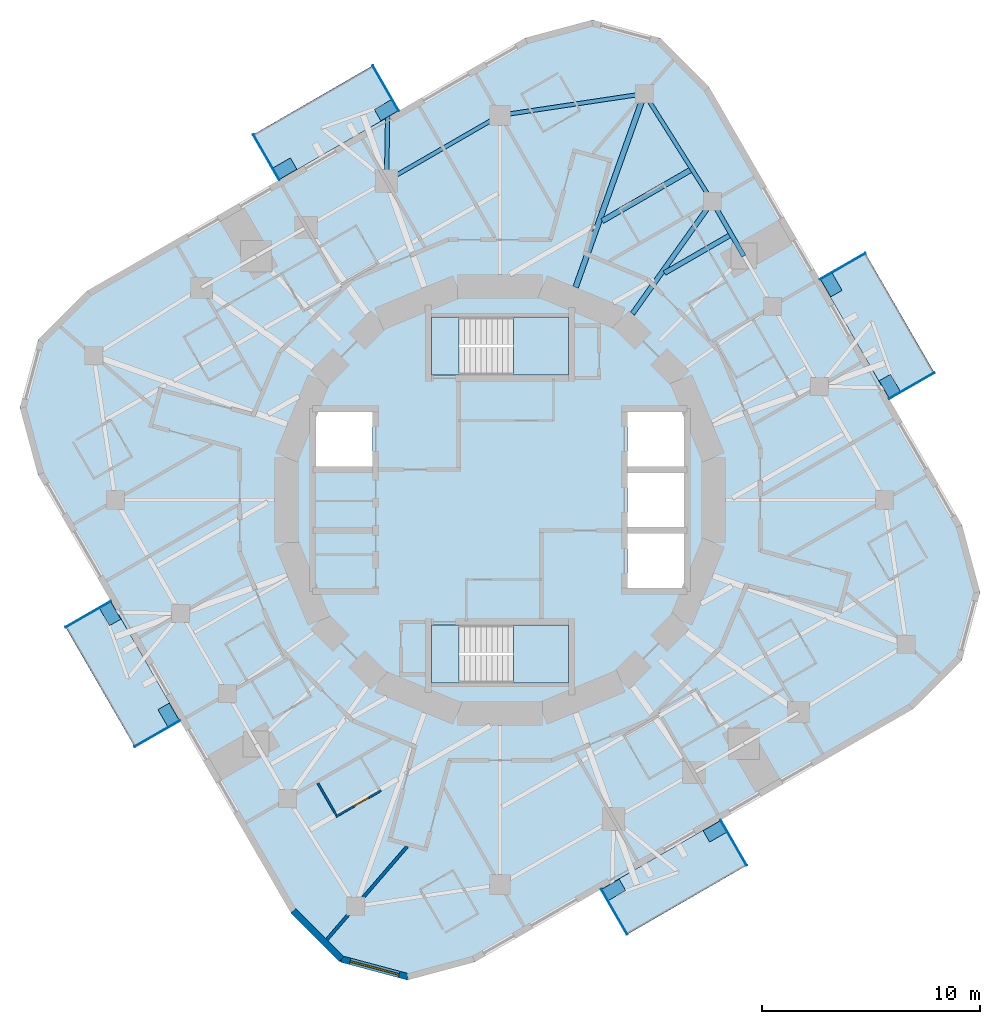
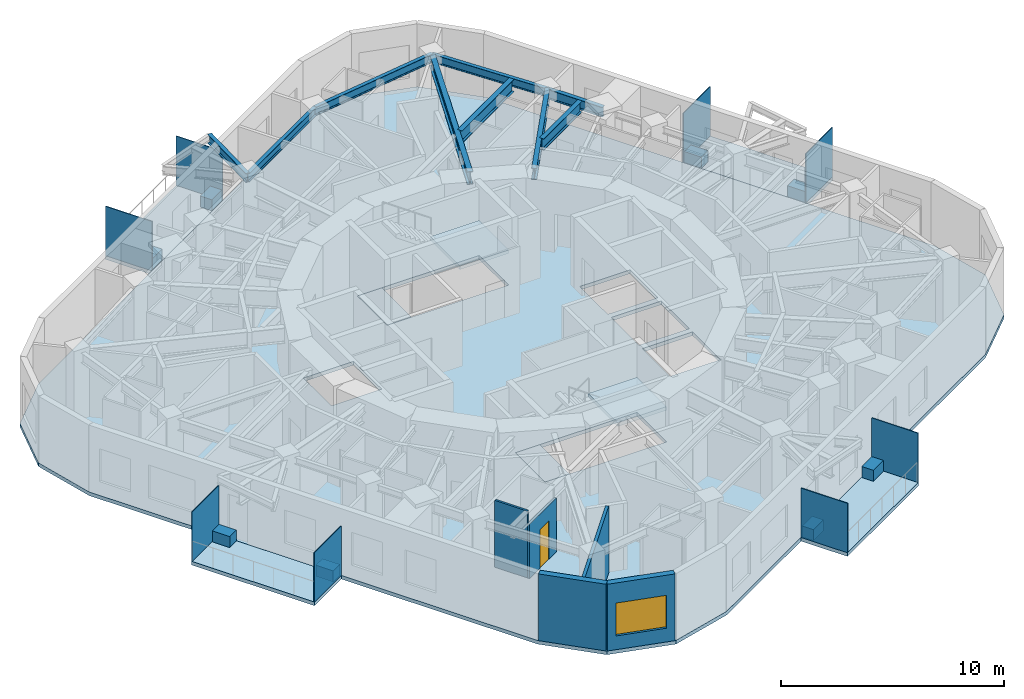
# One storey, part 3 of 12: 16 plates, 9 beams, 9 slabs, 5 walls, 1 door, 1 window, 2 openings, 2 elements without a shape of their own.
"""IFC4 building model written with IfcOpenShell, lengths in metres."""

from ifc_helpers import new_model, si_unit, direction, frame, frame_2d, origin, origin_2d, place, context, subcontext, project, spatial, polyline, rectangle, i_section, outline, extrude, material, layer, layer_set, material_profile, profile_set, type_object, element, fill, aggregate, save


model = new_model("IFC4")

# Units and contexts
model_context = context("Model", 3, precision=1e-05, world=origin(), true_north=direction((0.0, 1.0)))
body_context = subcontext(model_context, "Body", "Model", "MODEL_VIEW")
ifc_project = project(units=[si_unit("LENGTHUNIT", "METRE"), si_unit("AREAUNIT", "SQUARE_METRE"), si_unit("VOLUMEUNIT", "CUBIC_METRE"), si_unit("PLANEANGLEUNIT", "RADIAN"), si_unit("MASSUNIT", "GRAM", prefix="KILO")], contexts=[model_context])

# Site, building, storey
site_placement = place(None, origin())
site = spatial("IfcSite", under=ifc_project, at=site_placement, CompositionType="ELEMENT")
building_placement = place(site_placement, origin())
building = spatial("IfcBuilding", under=site, at=building_placement, Name="Nakasero Lantern House", CompositionType="ELEMENT")
storey_placement = place(building_placement, frame((0.0, 0.0, 226.949951171875)))
storey = spatial("IfcBuildingStorey", under=building, at=storey_placement, Name="L55", CompositionType="ELEMENT", Elevation=226.949951171875)

# Beams
ifc_material_1 = material(Name="Steel S355", Category="steel")
ifc_material_profile_1 = material_profile(ifc_material_1, i_section(OverallWidth=0.199462890625, OverallDepth=0.491943359375, WebThickness=0.01806640625, FlangeThickness=0.031982421875, FilletRadius=0.01025390625, at=origin_2d()), Name="UB 457x191x161")
ifc_profile_set_1 = profile_set([ifc_material_profile_1], Name="Steel S355")
beam_type_1 = type_object("IfcBeamType", Name="Balcony splay beam UB 457x191x161", PredefinedType="BEAM", material=ifc_profile_set_1)
beam_1_placement = place(storey_placement, frame((-5.211669921875, 14.657958984375, 3.404052734375), z_axis=(0.016835196893, 0.99985827803, 0.0), x_axis=(-0.99985827803, 0.016835196893, 0.0)))
element("IfcBeam", 1, at=beam_1_placement, inside=storey, type_object=beam_type_1, Name="Balcony splay beam L56 B6-C10B", PredefinedType="BEAM", context=body_context, shape_type="SweptSolid", body=[
    extrude(i_section(OverallWidth=0.199462890625, OverallDepth=0.491943359375, WebThickness=0.01806640625, FlangeThickness=0.031982421875, FilletRadius=0.01025390625, at=origin_2d()), origin(), (0.0, 0.0, 1.0), 3.52392578125),
])
ifc_material_2 = material(Name="Steel S355", Category="steel")
ifc_material_profile_2 = material_profile(ifc_material_2, i_section(OverallWidth=0.22900390625, OverallDepth=0.6123046875, WebThickness=0.011962890625, FlangeThickness=0.01953125, FilletRadius=0.0126953125, at=origin_2d()), Name="UB 610x229x125")
ifc_profile_set_2 = profile_set([ifc_material_profile_2], Name="Steel S355")
beam_type_2 = type_object("IfcBeamType", Name="Infill beam UB 610x229x125", PredefinedType="JOIST", material=ifc_profile_set_2)
beam_2_placement = place(storey_placement, frame((7.552001953125, 10.42236328125, 3.343994140625), z_axis=(0.866035643331, 0.499982264165, 0.0), x_axis=(-0.499982264165, 0.866035643331, 0.0)))
element("IfcBeam", 2, at=beam_2_placement, inside=storey, type_object=beam_type_2, Name="Infill beam L56 08.3", PredefinedType="JOIST", context=body_context, shape_type="SweptSolid", body=[
    extrude(i_section(OverallWidth=0.22900390625, OverallDepth=0.6123046875, WebThickness=0.011962890625, FlangeThickness=0.01953125, FilletRadius=0.0126953125, at=origin_2d()), origin(), (0.0, 0.0, 1.0), 3.443603515625),
])
ifc_material_3 = material(Name="Steel S355", Category="steel")
ifc_material_profile_3 = material_profile(ifc_material_3, i_section(OverallWidth=0.253662109375, OverallDepth=0.68359375, WebThickness=0.012451171875, FlangeThickness=0.01904296875, FilletRadius=0.01513671875, at=origin_2d()), Name="UB 686x254x140")
ifc_profile_set_3 = profile_set([ifc_material_profile_3], Name="Steel S355")
beam_type_3 = type_object("IfcBeamType", Name="Infill beam UB 686x254x140", PredefinedType="JOIST", material=ifc_profile_set_3)
beam_3_placement = place(storey_placement, frame((4.691162109375, 12.81201171875, 3.308349609375), z_axis=(0.866030607649, 0.499990986534, 0.0), x_axis=(-0.499990986534, 0.866030607649, 0.0)))
element("IfcBeam", 3, at=beam_3_placement, inside=storey, type_object=beam_type_3, Name="Infill beam L56 09.3", PredefinedType="JOIST", context=body_context, shape_type="SweptSolid", body=[
    extrude(i_section(OverallWidth=0.253662109375, OverallDepth=0.68359375, WebThickness=0.012451171875, FlangeThickness=0.01904296875, FilletRadius=0.01513671875, at=origin_2d()), origin(), (0.0, 0.0, 1.0), 4.66943359375),
])
ifc_material_4 = material(Name="Steel S355", Category="steel")
ifc_material_profile_4 = material_profile(ifc_material_4, i_section(OverallWidth=0.22900390625, OverallDepth=0.6123046875, WebThickness=0.011962890625, FlangeThickness=0.01953125, FilletRadius=0.0126953125, at=origin_2d()), Name="UB 610x229x125")
ifc_profile_set_4 = profile_set([ifc_material_profile_4], Name="Steel S355")
beam_type_4 = type_object("IfcBeamType", Name="Primary beam UB 610x229x125, span 6 to 9 m", PredefinedType="BEAM", material=ifc_profile_set_4)
beam_4_placement = place(storey_placement, frame((9.75048828125, 13.711669921875, 3.343994140625), z_axis=(-0.579504973637, -0.814968702178, 0.0), x_axis=(0.814968702178, -0.579504973637, 0.0)))
element("IfcBeam", 4, at=beam_4_placement, inside=storey, type_object=beam_type_4, Name="Primary beam L56 B6-C07", PredefinedType="BEAM", context=body_context, shape_type="SweptSolid", body=[
    extrude(i_section(OverallWidth=0.22900390625, OverallDepth=0.6123046875, WebThickness=0.011962890625, FlangeThickness=0.01953125, FilletRadius=0.0126953125, at=origin_2d()), origin(), (0.0, 0.0, 1.0), 6.320556640625),
])
ifc_material_5 = material(Name="Steel S355", Category="steel")
ifc_material_profile_5 = material_profile(ifc_material_5, i_section(OverallWidth=0.255859375, OverallDepth=0.69287109375, WebThickness=0.014404296875, FlangeThickness=0.023681640625, FilletRadius=0.01513671875, at=origin_2d()), Name="UB 686x254x170")
ifc_profile_set_5 = profile_set([ifc_material_profile_5], Name="Steel S355")
beam_type_5 = type_object("IfcBeamType", Name="Primary beam UB 686x254x170, span 9 to 12 m", PredefinedType="BEAM", material=ifc_profile_set_5)
beam_5_placement = place(storey_placement, frame((6.63525390625, 18.661376953125, 3.3037109375), z_axis=(-0.335006604588, -0.942215779364, 0.0), x_axis=(0.942215779364, -0.335006604588, 0.0)))
element("IfcBeam", 5, at=beam_5_placement, inside=storey, type_object=beam_type_5, Name="Primary beam L56 B6-C08", PredefinedType="BEAM", context=body_context, shape_type="SweptSolid", body=[
    extrude(i_section(OverallWidth=0.255859375, OverallDepth=0.69287109375, WebThickness=0.014404296875, FlangeThickness=0.023681640625, FilletRadius=0.01513671875, at=origin_2d()), origin(), (0.0, 0.0, 1.0), 9.4345703125),
])
ifc_material_6 = material(Name="Steel S355", Category="steel")
ifc_material_profile_6 = material_profile(ifc_material_6, i_section(OverallWidth=0.18994140625, OverallDepth=0.453369140625, WebThickness=0.008544921875, FlangeThickness=0.0126953125, FilletRadius=0.01025390625, at=origin_2d()), Name="UB 457x191x67")
ifc_profile_set_6 = profile_set([ifc_material_profile_6], Name="Steel S355")
beam_type_6 = type_object("IfcBeamType", Name="Ring beam UB 457x191x67", PredefinedType="BEAM", material=ifc_profile_set_6)
beam_6_placement = place(storey_placement, frame((9.75048828125, 13.711669921875, 3.42333984375), z_axis=(-0.532660471024, 0.846329027393, 0.0), x_axis=(-0.846329027393, -0.532660471024, 0.0)))
element("IfcBeam", 6, at=beam_6_placement, inside=storey, type_object=beam_type_6, Name="Ring beam L56 B6-C07", PredefinedType="BEAM", context=body_context, shape_type="SweptSolid", body=[
    extrude(i_section(OverallWidth=0.18994140625, OverallDepth=0.453369140625, WebThickness=0.008544921875, FlangeThickness=0.0126953125, FilletRadius=0.01025390625, at=origin_2d()), origin(), (0.0, 0.0, 1.0), 5.848388671875),
])
beam_7_placement = place(storey_placement, frame((0.0, 17.6669921875, 3.42333984375), z_axis=(-0.866020066889, -0.50000924366, 0.0), x_axis=(0.50000924366, -0.866020066889, 0.0)))
element("IfcBeam", 7, at=beam_7_placement, inside=storey, type_object=beam_type_6, Name="Ring beam L56 B6-C09", PredefinedType="BEAM", context=body_context, shape_type="SweptSolid", body=[
    extrude(i_section(OverallWidth=0.18994140625, OverallDepth=0.453369140625, WebThickness=0.008544921875, FlangeThickness=0.0126953125, FilletRadius=0.01025390625, at=origin_2d()), origin(), (0.0, 0.0, 1.0), 6.01806640625),
])
ifc_material_7 = material(Name="Steel S355", Category="steel")
ifc_material_profile_7 = material_profile(ifc_material_7, i_section(OverallWidth=0.19140625, OverallDepth=0.4599609375, WebThickness=0.010009765625, FlangeThickness=0.01611328125, FilletRadius=0.01025390625, at=origin_2d()), Name="UB 457x191x82")
ifc_profile_set_7 = profile_set([ifc_material_profile_7], Name="Steel S355")
beam_type_7 = type_object("IfcBeamType", Name="Ring beam UB 457x191x82", PredefinedType="BEAM", material=ifc_profile_set_7)
beam_8_placement = place(storey_placement, frame((6.63525390625, 18.661376953125, 3.420166015625), z_axis=(-0.988956095107, -0.148208778253, 0.0), x_axis=(0.148208778253, -0.988956095107, 0.0)))
element("IfcBeam", 8, at=beam_8_placement, inside=storey, type_object=beam_type_7, Name="Ring beam L56 B6-C08", PredefinedType="BEAM", context=body_context, shape_type="SweptSolid", body=[
    extrude(i_section(OverallWidth=0.19140625, OverallDepth=0.4599609375, WebThickness=0.010009765625, FlangeThickness=0.01611328125, FilletRadius=0.01025390625, at=origin_2d()), origin(), (0.0, 0.0, 1.0), 6.70947265625),
])
ifc_material_8 = material(Name="Steel S355", Category="steel")
ifc_material_profile_8 = material_profile(ifc_material_8, i_section(OverallWidth=0.2099609375, OverallDepth=0.53662109375, WebThickness=0.0107421875, FlangeThickness=0.017333984375, FilletRadius=0.0126953125, at=origin_2d()), Name="UB 533x210x101")
ifc_profile_set_8 = profile_set([ifc_material_profile_8], Name="Steel S355")
beam_type_8 = type_object("IfcBeamType", Name="Ring beam UB 533x210x101", PredefinedType="BEAM", material=ifc_profile_set_8)
beam_9_placement = place(storey_placement, frame((11.200439453125, 11.200439453125, 3.381591796875), z_axis=(-0.500023687443, 0.866011727401, 0.0), x_axis=(-0.866011727401, -0.500023687443, 0.0)))
element("IfcBeam", 9, at=beam_9_placement, inside=storey, type_object=beam_type_8, Name="Ring beam L56 B6-C06", PredefinedType="BEAM", context=body_context, shape_type="SweptSolid", body=[
    extrude(i_section(OverallWidth=0.2099609375, OverallDepth=0.53662109375, WebThickness=0.0107421875, FlangeThickness=0.017333984375, FilletRadius=0.0126953125, at=origin_2d()), origin(), (0.0, 0.0, 1.0), 2.899658203125),
])

# Plates
ifc_material_9 = material(Name="Aluminium 6063-T6", Category="aluminium")
ifc_layer_1 = layer(ifc_material_9, 0.60009765625)
ifc_layer_set_1 = layer_set([ifc_layer_1], Name="Balcony planter 600x900")
plate_type_1 = type_object("IfcPlateType", Name="Balcony planter 600x900", PredefinedType="USERDEFINED", material=ifc_layer_set_1)
for number, where, z_axis, x_axis, name in (
    (10, (17.901611328125, 5.2333984375, 0.0), (0.0, 0.0, 1.0), (0.866025403784, 0.5, 0.0), "Balcony PLANTER L55 BAL0A"),
    (11, (15.225830078125, 9.867919921875, 0.0), (0.0, 0.0, 1.0), (0.866025403784, 0.5, 0.0), "Balcony PLANTER L55 BAL0B"),
    (12, (-5.2333984375, 17.901611328125, 0.0), (0.0, 0.0, 1.0), (-0.5, 0.866025403784, 0.0), "Balcony PLANTER L55 BAL1A"),
    (13, (-9.867919921875, 15.225830078125, 0.0), (0.0, 0.0, 1.0), (-0.5, 0.866025403784, 0.0), "Balcony PLANTER L55 BAL1B"),
    (14, (-17.901611328125, -5.2333984375, 0.0), (0.0, 0.0, 1.0), (-0.866025403784, -0.5, 0.0), "Balcony PLANTER L55 BAL2A"),
    (15, (-15.225830078125, -9.867919921875, 0.0), (0.0, 0.0, 1.0), (-0.866025403784, -0.5, 0.0), "Balcony PLANTER L55 BAL2B"),
    (16, (5.2333984375, -17.901611328125, 0.0), (0.0, 0.0, 1.0), (0.5, -0.866025403784, 0.0), "Balcony PLANTER L55 BAL3A"),
    (17, (9.867919921875, -15.225830078125, 0.0), (0.0, 0.0, 1.0), (0.5, -0.866025403784, 0.0), "Balcony PLANTER L55 BAL3B"),
):
    element("IfcPlate", number, at=place(storey_placement, frame(where, z_axis=z_axis, x_axis=x_axis)), inside=storey, type_object=plate_type_1, Name=name, ObjectType="PLANTER", PredefinedType="USERDEFINED", context=body_context, shape_type="SweptSolid", body=[
        extrude(rectangle(XDim=0.60009765625, YDim=0.89990234375, at=origin_2d()), origin(), (0.0, 0.0, 1.0), 0.60009765625),
    ])
ifc_material_10 = material(Name="Aluminium 6063-T6", Category="aluminium")
ifc_layer_2 = layer(ifc_material_10, 0.0400390625)
ifc_layer_set_2 = layer_set([ifc_layer_2], Name="Balcony screen 2400x2700")
plate_type_2 = type_object("IfcPlateType", Name="Balcony screen 2400x2700", PredefinedType="SHEET", material=ifc_layer_set_2)
for number, where, z_axis, x_axis, name in (
    (18, (18.90869140625, 5.2490234375, 0.0), (0.0, 0.0, 1.0), (0.866025403784, 0.5, 0.0), "Balcony SCREEN L55 BAL0A"),
    (19, (15.7431640625, 10.732177734375, 0.0), (0.0, 0.0, 1.0), (0.866025403784, 0.5, 0.0), "Balcony SCREEN L55 BAL0B"),
    (20, (-5.2490234375, 18.90869140625, 0.0), (0.0, 0.0, 1.0), (-0.5, 0.866025403784, 0.0), "Balcony SCREEN L55 BAL1A"),
    (21, (-10.732177734375, 15.7431640625, 0.0), (0.0, 0.0, 1.0), (-0.5, 0.866025403784, 0.0), "Balcony SCREEN L55 BAL1B"),
    (22, (-18.90869140625, -5.2490234375, 0.0), (0.0, 0.0, 1.0), (-0.866025403784, -0.5, 0.0), "Balcony SCREEN L55 BAL2A"),
    (23, (-15.7431640625, -10.732177734375, 0.0), (0.0, 0.0, 1.0), (-0.866025403784, -0.5, 0.0), "Balcony SCREEN L55 BAL2B"),
    (24, (5.2490234375, -18.90869140625, 0.0), (0.0, 0.0, 1.0), (0.5, -0.866025403784, 0.0), "Balcony SCREEN L55 BAL3A"),
    (25, (10.732177734375, -15.7431640625, 0.0), (0.0, 0.0, 1.0), (0.5, -0.866025403784, 0.0), "Balcony SCREEN L55 BAL3B"),
):
    element("IfcPlate", number, at=place(storey_placement, frame(where, z_axis=z_axis, x_axis=x_axis)), inside=storey, type_object=plate_type_2, Name=name, PredefinedType="SHEET", context=body_context, shape_type="SweptSolid", body=[
        extrude(rectangle(XDim=2.39990234375, YDim=0.0400390625, at=origin_2d()), origin(), (0.0, 0.0, 1.0), 2.699951171875),
    ])

# Slabs
ifc_material_11 = material(Name="Concrete C35/45", Category="concrete")
ifc_layer_3 = layer(ifc_material_11, 0.199951171875)
ifc_layer_set_3 = layer_set([ifc_layer_3], Name="Balcony slab 200")
slab_type_1 = type_object("IfcSlabType", Name="Balcony slab 200", PredefinedType="USERDEFINED", material=ifc_layer_set_3)
slab_1_placement = place(storey_placement, frame((0.0, 0.0, -0.199951171875)))
element("IfcSlab", 26, at=slab_1_placement, inside=storey, type_object=slab_type_1, Name="Balcony L55 BAL0", ObjectType="BALCONY", PredefinedType="USERDEFINED", context=body_context, shape_type="SweptSolid", body=[
    extrude(outline(polyline([(17.879638671875, 4.6318359375), (19.9580078125, 5.831787109375), (16.772216796875, 11.349609375), (14.69384765625, 10.149658203125), (17.879638671875, 4.6318359375)])), origin(), (0.0, 0.0, 1.0), 0.199951171875),
])
slab_2_placement = place(storey_placement, frame((0.0, 0.0, -0.199951171875)))
element("IfcSlab", 27, at=slab_2_placement, inside=storey, type_object=slab_type_1, Name="Balcony L55 BAL1", ObjectType="BALCONY", PredefinedType="USERDEFINED", context=body_context, shape_type="SweptSolid", body=[
    extrude(outline(polyline([(-4.6318359375, 17.879638671875), (-5.831787109375, 19.9580078125), (-11.349609375, 16.772216796875), (-10.149658203125, 14.69384765625), (-4.6318359375, 17.879638671875)])), origin(), (0.0, 0.0, 1.0), 0.199951171875),
])
slab_3_placement = place(storey_placement, frame((0.0, 0.0, -0.199951171875)))
element("IfcSlab", 28, at=slab_3_placement, inside=storey, type_object=slab_type_1, Name="Balcony L55 BAL2", ObjectType="BALCONY", PredefinedType="USERDEFINED", context=body_context, shape_type="SweptSolid", body=[
    extrude(outline(polyline([(-17.879638671875, -4.6318359375), (-19.9580078125, -5.831787109375), (-16.772216796875, -11.349609375), (-14.69384765625, -10.149658203125), (-17.879638671875, -4.6318359375)])), origin(), (0.0, 0.0, 1.0), 0.199951171875),
])
slab_4_placement = place(storey_placement, frame((0.0, 0.0, -0.199951171875)))
element("IfcSlab", 29, at=slab_4_placement, inside=storey, type_object=slab_type_1, Name="Balcony L55 BAL3", ObjectType="BALCONY", PredefinedType="USERDEFINED", context=body_context, shape_type="SweptSolid", body=[
    extrude(outline(polyline([(4.6318359375, -17.879638671875), (5.831787109375, -19.9580078125), (11.349609375, -16.772216796875), (10.149658203125, -14.69384765625), (4.6318359375, -17.879638671875)])), origin(), (0.0, 0.0, 1.0), 0.199951171875),
])
ifc_material_12 = material(Name="Concrete C35/45", Category="concrete")
ifc_layer_4 = layer(ifc_material_12, 0.199951171875)
ifc_layer_set_4 = layer_set([ifc_layer_4], Name="Composite floor slab 200")
slab_type_2 = type_object("IfcSlabType", Name="Composite floor slab 200", PredefinedType="FLOOR", material=ifc_layer_set_4)
slab_5_placement = place(storey_placement, frame((0.0, 0.0, -0.199951171875)))
element("IfcSlab", 30, at=slab_5_placement, inside=storey, type_object=slab_type_2, Name="Floor slab L55", PredefinedType="FLOOR", context=body_context, shape_type="SweptSolid", body=[
    extrude(outline(polyline([(9.615234375, 18.94580078125), (7.345947265625, 21.21533203125), (4.245849609375, 22.0458984375), (1.14599609375, 21.21533203125), (-18.94580078125, 9.615234375), (-21.21533203125, 7.345947265625), (-22.0458984375, 4.245849609375), (-21.21533203125, 1.14599609375), (-9.615234375, -18.94580078125), (-7.345947265625, -21.21533203125), (-4.245849609375, -22.0458984375), (-1.14599609375, -21.21533203125), (18.94580078125, -9.615234375), (21.21533203125, -7.345947265625), (22.0458984375, -4.245849609375), (21.21533203125, -1.14599609375), (9.615234375, 18.94580078125)]), holes=[polyline([(-8.449951171875, 1.550048828125), (-5.85009765625, 1.550048828125), (-5.85009765625, 4.050048828125), (-8.449951171875, 4.050048828125), (-8.449951171875, 1.550048828125)]), polyline([(5.85009765625, -4.050048828125), (8.449951171875, -4.050048828125), (8.449951171875, -1.550048828125), (5.85009765625, -1.550048828125), (5.85009765625, -4.050048828125)]), polyline([(5.85009765625, -1.25), (8.449951171875, -1.25), (8.449951171875, 1.25), (5.85009765625, 1.25), (5.85009765625, -1.25)]), polyline([(5.85009765625, 1.550048828125), (8.449951171875, 1.550048828125), (8.449951171875, 4.050048828125), (5.85009765625, 4.050048828125), (5.85009765625, 1.550048828125)]), polyline([(-3.14990234375, 5.75), (3.14990234375, 5.75), (3.14990234375, 8.39990234375), (-3.14990234375, 8.39990234375), (-3.14990234375, 5.75)]), polyline([(-3.14990234375, -8.39990234375), (3.14990234375, -8.39990234375), (3.14990234375, -5.75), (-3.14990234375, -5.75), (-3.14990234375, -8.39990234375)])]), origin(), (0.0, 0.0, 1.0), 0.199951171875),
])

# Stair, slabs
ifc_material_13 = material(Name="Concrete C40/50", Category="concrete")
stair_type_1 = type_object("IfcStairType", Name="Escape stair ST1 22 risers", PredefinedType="HALF_TURN_STAIR", material=ifc_material_13)
stair_1_placement = place(storey_placement, origin())
stair_1 = element("IfcStair", 31, at=stair_1_placement, inside=storey, type_object=stair_type_1, Name="Escape stair ST1 L55", PredefinedType="HALF_TURN_STAIR")
ifc_material_14 = material(Name="Concrete C40/50", Category="concrete")
ifc_layer_5 = layer(ifc_material_14, 0.199951171875)
ifc_layer_set_5 = layer_set([ifc_layer_5], Name="Stair landing 200")
slab_type_3 = type_object("IfcSlabType", Name="Stair landing 200", PredefinedType="LANDING", material=ifc_layer_set_5)
slab_6_placement = place(storey_placement, frame((0.0, 0.0, -0.199951171875)))
slab_6 = element("IfcSlab", 32, at=slab_6_placement, type_object=slab_type_3, Name="ST1 landing 1", PredefinedType="LANDING", context=body_context, shape_type="SweptSolid", body=[
    extrude(outline(polyline([(-3.14990234375, 5.75), (-1.875, 5.75), (-1.875, 8.39990234375), (-3.14990234375, 8.39990234375), (-3.14990234375, 5.75)])), origin(), (0.0, 0.0, 1.0), 0.199951171875),
])
slab_7_placement = place(storey_placement, frame((0.0, 0.0, 1.72509765625)))
slab_7 = element("IfcSlab", 33, at=slab_7_placement, type_object=slab_type_3, Name="ST1 landing 2", PredefinedType="LANDING", context=body_context, shape_type="SweptSolid", body=[
    extrude(outline(polyline([(0.625, 5.75), (3.14990234375, 5.75), (3.14990234375, 8.39990234375), (0.625, 8.39990234375), (0.625, 5.75)])), origin(), (0.0, 0.0, 1.0), 0.199951171875),
])
aggregate(stair_1, [slab_6, slab_7])

ifc_material_15 = material(Name="Concrete C40/50", Category="concrete")
stair_type_2 = type_object("IfcStairType", Name="Escape stair ST2 22 risers", PredefinedType="HALF_TURN_STAIR", material=ifc_material_15)
stair_2_placement = place(storey_placement, origin())
stair_2 = element("IfcStair", 34, at=stair_2_placement, inside=storey, type_object=stair_type_2, Name="Escape stair ST2 L55", PredefinedType="HALF_TURN_STAIR")
slab_8_placement = place(storey_placement, frame((0.0, 0.0, -0.199951171875)))
slab_8 = element("IfcSlab", 35, at=slab_8_placement, type_object=slab_type_3, Name="ST2 landing 1", PredefinedType="LANDING", context=body_context, shape_type="SweptSolid", body=[
    extrude(outline(polyline([(-3.14990234375, -8.39990234375), (-1.875, -8.39990234375), (-1.875, -5.75), (-3.14990234375, -5.75), (-3.14990234375, -8.39990234375)])), origin(), (0.0, 0.0, 1.0), 0.199951171875),
])
slab_9_placement = place(storey_placement, frame((0.0, 0.0, 1.72509765625)))
slab_9 = element("IfcSlab", 36, at=slab_9_placement, type_object=slab_type_3, Name="ST2 landing 2", PredefinedType="LANDING", context=body_context, shape_type="SweptSolid", body=[
    extrude(outline(polyline([(0.625, -8.39990234375), (3.14990234375, -8.39990234375), (3.14990234375, -5.75), (0.625, -5.75), (0.625, -8.39990234375)])), origin(), (0.0, 0.0, 1.0), 0.199951171875),
])
aggregate(stair_2, [slab_8, slab_9])

# Wall, opening, door
ifc_material_16 = material(Name="Blockwork", Category="masonry")
ifc_layer_6 = layer(ifc_material_16, 0.10009765625)
ifc_layer_set_6 = layer_set([ifc_layer_6], Name="En-suite wall 100")
wall_type_1 = type_object("IfcWallType", Name="En-suite wall 100", PredefinedType="PARTITIONING", material=ifc_layer_set_6)
wall_1_placement = place(storey_placement, frame((-5.46044921875, -13.342041015625, 0.0), z_axis=(0.0, 0.0, 1.0), x_axis=(-0.866006032174, -0.500033551112, 0.0)))
wall_1 = element("IfcWall", 37, at=wall_1_placement, inside=storey, type_object=wall_type_1, Name="En-suite wall L55 ES2-06", PredefinedType="PARTITIONING", context=body_context, shape_type="SweptSolid", body=[
    extrude(rectangle(XDim=2.400146484375, YDim=0.10009765625, at=frame_2d((1.2001953125, 0.0))), origin(), (0.0, 0.0, 1.0), 2.966552734375),
])
opening_1_placement = place(wall_1_placement, frame((0.64990234375, 0.0, 0.0)))
opening_1 = element("IfcOpeningElement", 38, at=opening_1_placement, cuts=wall_1, Name="Opening D02", PredefinedType="OPENING", context=body_context, shape_type="SweptSolid", body=[
    extrude(rectangle(XDim=0.800048828125, YDim=2.10009765625, at=frame_2d((0.39990234375, 1.050048828125))), frame((0.0, 0.070068359375, 0.0), z_axis=(0.0, -1.0, 0.0), x_axis=(1.0, 0.0, 0.0)), (0.0, 0.0, 1.0), 0.14013671875),
])
ifc_material_17 = material(Name="Timber C24", Category="wood")
door_type = type_object("IfcDoorType", Name="En-suite door 800", OperationType="SINGLE_SWING_RIGHT", PredefinedType="DOOR", material=ifc_material_17)
door_placement = place(opening_1_placement, origin())
door = element("IfcDoor", 39, at=door_placement, inside=storey, type_object=door_type, Name="Door L55 DE2-06", OperationType="SINGLE_SWING_LEFT", OverallHeight=2.10009765625, OverallWidth=0.800048828125, PredefinedType="DOOR", context=body_context, shape_type="SweptSolid", body=[
    extrude(rectangle(XDim=0.800048828125, YDim=2.10009765625, at=frame_2d((0.39990234375, 1.050048828125))), frame((0.0, 0.02490234375, 0.0), z_axis=(0.0, -1.0, 0.0), x_axis=(1.0, 0.0, 0.0)), (0.0, 0.0, 1.0), 0.050048828125),
])
fill(opening_1, door)

# Walls
wall_2_placement = place(storey_placement, frame((-8.37060546875, -13.001708984375, 0.0), z_axis=(0.0, 0.0, 1.0), x_axis=(0.499954529098, -0.86605165483, 0.0)))
element("IfcWall", 40, at=wall_2_placement, inside=storey, type_object=wall_type_1, Name="En-suite wall L55 EE2-06", PredefinedType="PARTITIONING", context=body_context, shape_type="SweptSolid", body=[
    extrude(rectangle(XDim=1.699951171875, YDim=0.10009765625, at=frame_2d((0.85009765625, 0.0))), origin(), (0.0, 0.0, 1.0), 3.650146484375),
])
ifc_material_18 = material(Name="Aluminium rainscreen on blockwork", Category="masonry")
ifc_layer_7 = layer(ifc_material_18, 0.300048828125)
ifc_layer_set_7 = layer_set([ifc_layer_7], Name="Facade wall 300")
wall_type_2 = type_object("IfcWallType", Name="Facade wall 300", PredefinedType="SOLIDWALL", material=ifc_layer_set_7)
wall_3_placement = place(storey_placement, frame((-9.4853515625, -18.870849609375, 0.0), z_axis=(0.0, 0.0, 1.0), x_axis=(0.707067801733, -0.707145758492, 0.0)))
element("IfcWall", 41, at=wall_3_placement, inside=storey, type_object=wall_type_2, Name="Facade wall L55 FW2C1", PredefinedType="SOLIDWALL", context=body_context, shape_type="SweptSolid", body=[
    extrude(rectangle(XDim=3.1318359375, YDim=0.300048828125, at=frame_2d((1.56591796875, 0.0))), origin(), (0.0, 0.0, 1.0), 3.650146484375),
])

# Wall, opening, window
wall_4_placement = place(storey_placement, frame((-7.27099609375, -21.08544921875, 0.0), z_axis=(0.0, 0.0, 1.0), x_axis=(0.965928914048, -0.258807521156, 0.0)))
wall_4 = element("IfcWall", 42, at=wall_4_placement, inside=storey, type_object=wall_type_2, Name="Facade wall L55 FW2C2", PredefinedType="SOLIDWALL", context=body_context, shape_type="SweptSolid", body=[
    extrude(rectangle(XDim=3.1318359375, YDim=0.300048828125, at=frame_2d((1.56591796875, 0.0))), origin(), (0.0, 0.0, 1.0), 3.650146484375),
])
opening_2_placement = place(wall_4_placement, frame((0.39990234375, 0.0, 0.75)))
opening_2 = element("IfcOpeningElement", 43, at=opening_2_placement, cuts=wall_4, Name="Opening W223", PredefinedType="OPENING", context=body_context, shape_type="SweptSolid", body=[
    extrude(rectangle(XDim=2.33203125, YDim=1.800048828125, at=frame_2d((1.166015625, 0.89990234375))), frame((0.0, 0.169921875, 0.0), z_axis=(0.0, -1.0, 0.0), x_axis=(1.0, 0.0, 0.0)), (0.0, 0.0, 1.0), 0.340087890625),
])
ifc_material_19 = material(Name="Aluminium 6063-T6 and glass", Category="aluminium")
window_type = type_object("IfcWindowType", Name="Corner window 2332x1800", PartitioningType="SINGLE_PANEL", PredefinedType="WINDOW", material=ifc_material_19)
window_placement = place(opening_2_placement, origin())
window = element("IfcWindow", 44, at=window_placement, inside=storey, type_object=window_type, Name="Window L55 WC2", OverallHeight=1.800048828125, OverallWidth=2.33203125, PartitioningType="SINGLE_PANEL", PredefinedType="WINDOW", context=body_context, shape_type="SweptSolid", body=[
    extrude(rectangle(XDim=2.33203125, YDim=1.800048828125, at=frame_2d((1.166015625, 0.89990234375))), frame((0.0, 0.030029296875, 0.0), z_axis=(0.0, -1.0, 0.0), x_axis=(1.0, 0.0, 0.0)), (0.0, 0.0, 1.0), 0.06005859375),
])
fill(opening_2, window)

# Wall
ifc_material_20 = material(Name="Blockwork", Category="masonry")
ifc_layer_8 = layer(ifc_material_20, 0.14990234375)
ifc_layer_set_8 = layer_set([ifc_layer_8], Name="Party wall 150")
wall_type_3 = type_object("IfcWallType", Name="Party wall 150", PredefinedType="PARTITIONING", material=ifc_layer_set_8)
wall_5_placement = place(storey_placement, frame((-4.263671875, -15.91259765625, 0.0), z_axis=(0.0, 0.0, 1.0), x_axis=(-0.653224504612, -0.75716427978, 0.0)))
element("IfcWall", 45, at=wall_5_placement, inside=storey, type_object=wall_type_3, Name="Party wall L55 PW3-00", PredefinedType="PARTITIONING", context=body_context, shape_type="SweptSolid", body=[
    extrude(rectangle(XDim=5.644287109375, YDim=0.14990234375, at=frame_2d((2.822265625, 0.0))), origin(), (0.0, 0.0, 1.0), 3.650146484375),
])

save(model, "model.ifc")
